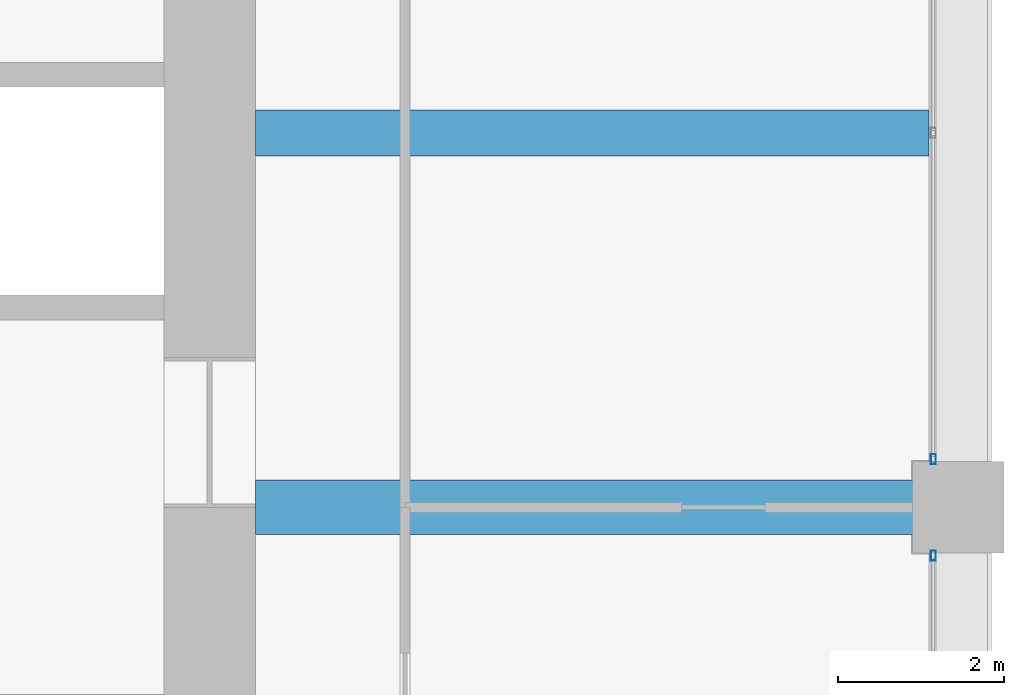
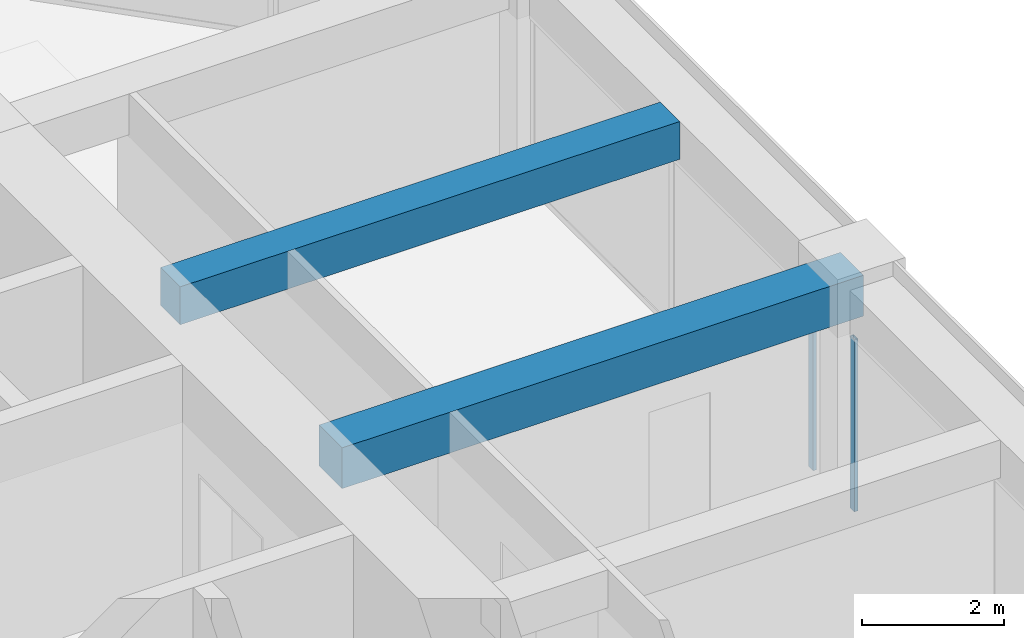
# One storey, part 26 of 45: 2 beams, 2 members, 2 elements without a shape of their own.
"""IFC4 building model written with IfcOpenShell, lengths in metres."""

from ifc_helpers import new_model, si_unit, direction, frame, origin, origin_2d, place, context, subcontext, project, spatial, rectangle, hollow_rectangle, extrude, material, material_profile, profile_set, type_object, element, aggregate, save


model = new_model("IFC4")

# Units and contexts
model_context = context("Model", 3, precision=1e-05, world=origin(), true_north=direction((0.0, 1.0)))
body_context = subcontext(model_context, "Body", "Model", "MODEL_VIEW")
ifc_project = project(units=[si_unit("LENGTHUNIT", "METRE"), si_unit("AREAUNIT", "SQUARE_METRE"), si_unit("VOLUMEUNIT", "CUBIC_METRE"), si_unit("PLANEANGLEUNIT", "RADIAN"), si_unit("MASSUNIT", "GRAM", prefix="KILO")], contexts=[model_context])

# Site, building, storey
site_placement = place(None, origin())
site = spatial("IfcSite", under=ifc_project, at=site_placement, CompositionType="ELEMENT")
building_placement = place(site_placement, origin())
building = spatial("IfcBuilding", under=site, at=building_placement, Name="Zorevar Civic Tower", CompositionType="ELEMENT")
storey_placement = place(building_placement, frame((0.0, 0.0, 303.39990234375)))
storey = spatial("IfcBuildingStorey", under=building, at=storey_placement, Name="L74", CompositionType="ELEMENT", Elevation=303.39990234375)

# Beams
ifc_material_1 = material(Name="Concrete C50/60", Category="concrete")
ifc_material_profile_1 = material_profile(ifc_material_1, rectangle(XDim=0.550048828125, YDim=0.64990234375, at=origin_2d()), Name="RC 550x650")
ifc_profile_set_1 = profile_set([ifc_material_profile_1], Name="Concrete C50/60")
beam_type_1 = type_object("IfcBeamType", Name="Beam RC 550x650", PredefinedType="BEAM", material=ifc_profile_set_1)
beam_1_placement = place(storey_placement, frame((45.550048828125, 31.5, 3.425048828125), z_axis=(1.0, 0.0, 0.0), x_axis=(0.0, 1.0, 0.0)))
element("IfcBeam", 1, at=beam_1_placement, inside=storey, type_object=beam_type_1, Name="Secondary beam L75", PredefinedType="BEAM", context=body_context, shape_type="SweptSolid", body=[
    extrude(rectangle(XDim=0.550048828125, YDim=0.64990234375, at=origin_2d()), origin(), (0.0, 0.0, 1.0), 8.099853515625),
])
ifc_material_2 = material(Name="Concrete C50/60", Category="concrete")
ifc_material_profile_2 = material_profile(ifc_material_2, rectangle(XDim=0.64990234375, YDim=0.699951171875, at=origin_2d()), Name="RC 650x700")
ifc_profile_set_2 = profile_set([ifc_material_profile_2], Name="Concrete C50/60")
beam_type_2 = type_object("IfcBeamType", Name="Beam RC 650x700", PredefinedType="BEAM", material=ifc_profile_set_2)
beam_2_placement = place(storey_placement, frame((45.550048828125, 27.0, 3.400146484375), z_axis=(1.0, 0.0, 0.0), x_axis=(0.0, 1.0, 0.0)))
element("IfcBeam", 2, at=beam_2_placement, inside=storey, type_object=beam_type_2, Name="Girder L75", PredefinedType="BEAM", context=body_context, shape_type="SweptSolid", body=[
    extrude(rectangle(XDim=0.64990234375, YDim=0.699951171875, at=origin_2d()), origin(), (0.0, 0.0, 1.0), 8.449951171875),
])

# Curtain wall, member
ifc_material_3 = material(Name="Dark grey solar-control glass in black aluminium frame", Category="aluminium")
curtain_wall_type = type_object("IfcCurtainWallType", Name="Curtain wall CW5 top zone", PredefinedType="NOTDEFINED", material=ifc_material_3)
curtain_wall_1_placement = place(storey_placement, origin())
curtain_wall_1 = element("IfcCurtainWall", 3, at=curtain_wall_1_placement, inside=storey, type_object=curtain_wall_type, Name="CW5 L74", PredefinedType="NOTDEFINED")
ifc_material_4 = material(Name="Aluminium, black anodised", Category="aluminium")
ifc_material_profile_3 = material_profile(ifc_material_4, hollow_rectangle(XDim=0.06005859375, YDim=0.1201171875, WallThickness=0.0029296875, at=origin_2d()), Name="AL 120x60x3")
ifc_profile_set_3 = profile_set([ifc_material_profile_3], Name="Aluminium, black anodised")
member_type = type_object("IfcMemberType", Name="CW5 mullion AL 120x60x3", PredefinedType="MULLION", material=ifc_profile_set_3)
member_1_placement = place(storey_placement, frame((53.699951171875, 26.419921875, 0.0), z_axis=(0.0, 0.0, 1.0), x_axis=(-1.0, 0.0, 0.0)))
member_1 = element("IfcMember", 4, at=member_1_placement, type_object=member_type, Name="CW5 mullion 3", PredefinedType="MULLION", context=body_context, shape_type="SweptSolid", body=[
    extrude(hollow_rectangle(XDim=0.06005859375, YDim=0.1201171875, WallThickness=0.0029296875, at=origin_2d()), origin(), (0.0, 0.0, 1.0), 2.9501953125),
])
aggregate(curtain_wall_1, [member_1])

curtain_wall_2_placement = place(storey_placement, origin())
curtain_wall_2 = element("IfcCurtainWall", 5, at=curtain_wall_2_placement, inside=storey, type_object=curtain_wall_type, Name="CW5 L74", PredefinedType="NOTDEFINED")
member_2_placement = place(storey_placement, frame((53.699951171875, 27.580078125, 0.0), z_axis=(0.0, 0.0, 1.0), x_axis=(-1.0, 0.0, 0.0)))
member_2 = element("IfcMember", 6, at=member_2_placement, type_object=member_type, Name="CW5 mullion 1", PredefinedType="MULLION", context=body_context, shape_type="SweptSolid", body=[
    extrude(hollow_rectangle(XDim=0.06005859375, YDim=0.1201171875, WallThickness=0.0029296875, at=origin_2d()), origin(), (0.0, 0.0, 1.0), 2.9501953125),
])
aggregate(curtain_wall_2, [member_2])

save(model, "model.ifc")
